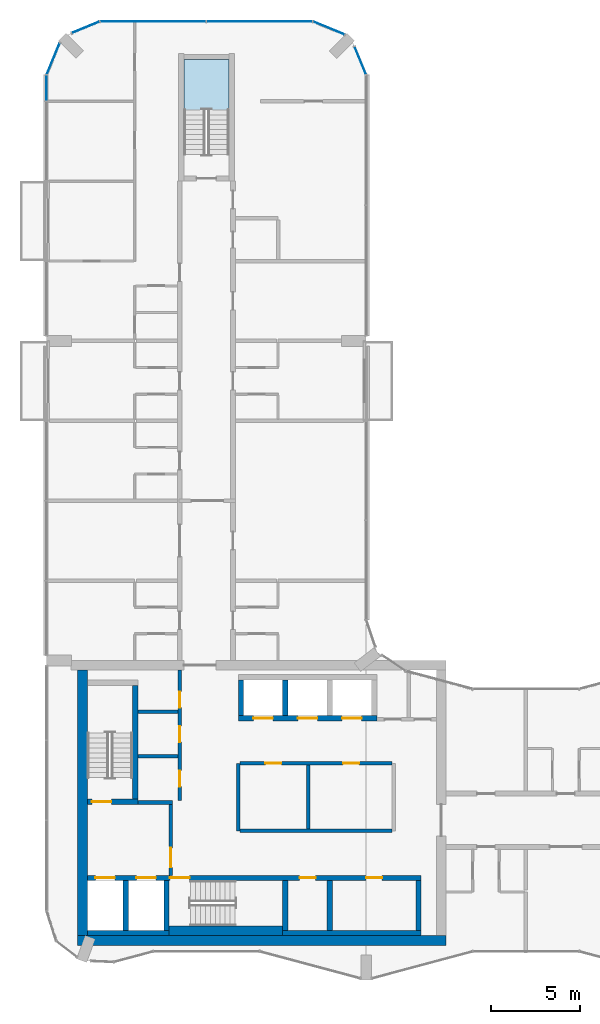
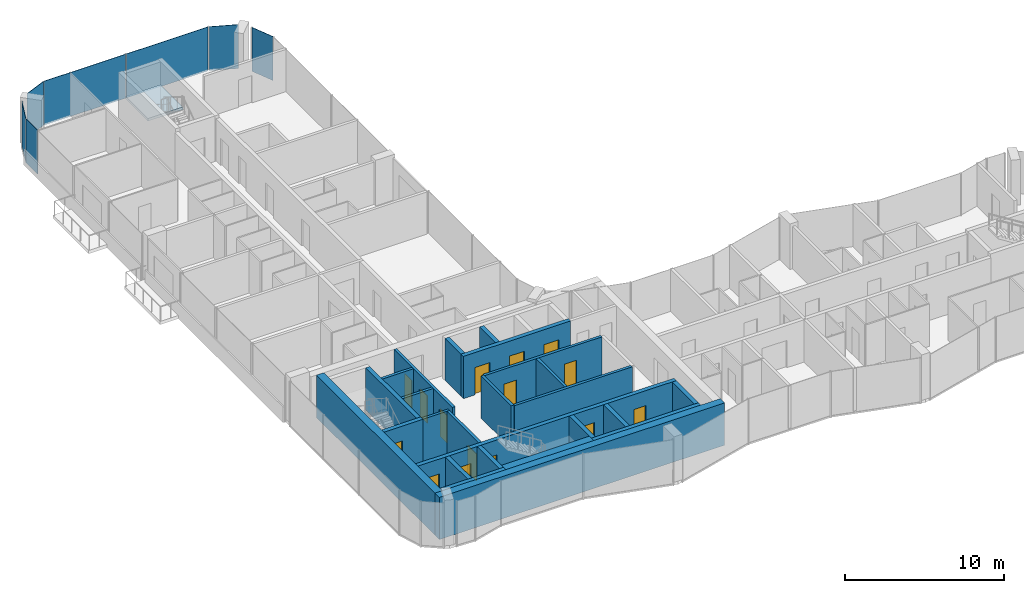
# One storey, part 9 of 15: 25 walls, 15 doors, 7 plates, 1 slab, 15 openings, 7 elements without a shape of their own.
"""IFC4 building model written with IfcOpenShell, lengths in metres."""

from ifc_helpers import new_model, si_unit, direction, frame, frame_2d, origin, origin_2d, place, context, subcontext, project, spatial, polyline, rectangle, outline, extrude, material, layer, layer_set, type_object, element, fill, aggregate, save


model = new_model("IFC4")

# Units and contexts
model_context = context("Model", 3, precision=1e-05, world=origin(), true_north=direction((0.0, 1.0)))
body_context = subcontext(model_context, "Body", "Model", "MODEL_VIEW")
ifc_project = project(units=[si_unit("LENGTHUNIT", "METRE"), si_unit("AREAUNIT", "SQUARE_METRE"), si_unit("VOLUMEUNIT", "CUBIC_METRE"), si_unit("PLANEANGLEUNIT", "RADIAN"), si_unit("MASSUNIT", "GRAM", prefix="KILO")], contexts=[model_context])

# Site, building, storey
site_placement = place(None, origin())
site = spatial("IfcSite", under=ifc_project, at=site_placement, CompositionType="ELEMENT")
building_placement = place(site_placement, origin())
building = spatial("IfcBuilding", under=site, at=building_placement, Name="Plateau Cross Towers", CompositionType="ELEMENT")
storey_placement = place(building_placement, frame((0.0, 0.0, 194.39990234375)))
storey = spatial("IfcBuildingStorey", under=building, at=storey_placement, Name="L50", CompositionType="ELEMENT", Elevation=194.39990234375)

# Curtain wall, plate
ifc_material_1 = material(Name="Dark low-iron glass", Category="glass")
ifc_layer_1 = layer(ifc_material_1, 0.239990234375)
ifc_layer_set_1 = layer_set([ifc_layer_1], Name="Dark low-iron glass")
curtain_wall_type = type_object("IfcCurtainWallType", Name="Curtain wall flush unitised CW-B", PredefinedType="NOTDEFINED", material=ifc_layer_set_1)
curtain_wall_1_placement = place(storey_placement, origin())
curtain_wall_1 = element("IfcCurtainWall", 1, at=curtain_wall_1_placement, inside=storey, type_object=curtain_wall_type, Name="ENV/A/L50/A180_510", PredefinedType="NOTDEFINED")
ifc_layer_2 = layer(ifc_material_1, 0.031982421875)
ifc_layer_set_2 = layer_set([ifc_layer_2], Name="Dark low-iron glass")
plate_type = type_object("IfcPlateType", Name="Glass panel 32 flush unitised", PredefinedType="CURTAIN_PANEL", material=ifc_layer_set_2)
plate_1_placement = place(storey_placement, frame((17.66943359375, 51.79833984375, -0.1298828125), z_axis=(0.0, 0.0, 1.0), x_axis=(-0.382683612978, 0.923879457699, 0.0)))
plate_1 = element("IfcPlate", 2, at=plate_1_placement, type_object=plate_type, Name="CW-B panel 1", PredefinedType="CURTAIN_PANEL", context=body_context, shape_type="SweptSolid", body=[
    extrude(rectangle(XDim=1.668212890625, YDim=0.031982421875, at=origin_2d()), origin(), (0.0, 0.0, 1.0), 3.3798828125),
])
aggregate(curtain_wall_1, [plate_1])

curtain_wall_2_placement = place(storey_placement, origin())
curtain_wall_2 = element("IfcCurtainWall", 3, at=curtain_wall_2_placement, inside=storey, type_object=curtain_wall_type, Name="ENV/A/L50/A168_533", PredefinedType="NOTDEFINED")
plate_2_placement = place(storey_placement, frame((15.90283203125, 53.6259765625, -0.1298828125), z_axis=(0.0, 0.0, 1.0), x_axis=(-0.923879457699, 0.382683612978, 0.0)))
plate_2 = element("IfcPlate", 4, at=plate_2_placement, type_object=plate_type, Name="CW-B panel 1", PredefinedType="CURTAIN_PANEL", context=body_context, shape_type="SweptSolid", body=[
    extrude(rectangle(XDim=1.894775390625, YDim=0.031982421875, at=origin_2d()), origin(), (0.0, 0.0, 1.0), 3.3798828125),
])
aggregate(curtain_wall_2, [plate_2])

# Curtain wall, plates
curtain_wall_3_placement = place(storey_placement, origin())
curtain_wall_3 = element("IfcCurtainWall", 5, at=curtain_wall_3_placement, inside=storey, type_object=curtain_wall_type, Name="ENV/A/L50/A150_540", PredefinedType="NOTDEFINED")
plate_3_placement = place(storey_placement, frame((12.0, 54.0, -0.1298828125), z_axis=(0.0, 0.0, 1.0), x_axis=(-1.0, 0.0, 0.0)))
plate_3 = element("IfcPlate", 6, at=plate_3_placement, type_object=plate_type, Name="CW-B panel 1", PredefinedType="CURTAIN_PANEL", context=body_context, shape_type="SweptSolid", body=[
    extrude(rectangle(XDim=5.93994140625, YDim=0.031982421875, at=origin_2d()), origin(), (0.0, 0.0, 1.0), 3.3798828125),
])
plate_4_placement = place(storey_placement, frame((6.0, 54.0, -0.1298828125), z_axis=(0.0, 0.0, 1.0), x_axis=(-1.0, 0.0, 0.0)))
plate_4 = element("IfcPlate", 7, at=plate_4_placement, type_object=plate_type, Name="CW-B panel 2", PredefinedType="CURTAIN_PANEL", context=body_context, shape_type="SweptSolid", body=[
    extrude(rectangle(XDim=5.93994140625, YDim=0.031982421875, at=origin_2d()), origin(), (0.0, 0.0, 1.0), 3.3798828125),
])
aggregate(curtain_wall_3, [plate_3, plate_4])

# Curtain wall, plate
curtain_wall_4_placement = place(storey_placement, origin())
curtain_wall_4 = element("IfcCurtainWall", 8, at=curtain_wall_4_placement, inside=storey, type_object=curtain_wall_type, Name="ENV/A/L50/A30_540", PredefinedType="NOTDEFINED")
plate_5_placement = place(storey_placement, frame((2.20166015625, 53.66943359375, -0.1298828125), z_axis=(0.0, 0.0, 1.0), x_axis=(-0.923879457699, -0.382683612978, 0.0)))
plate_5 = element("IfcPlate", 9, at=plate_5_placement, type_object=plate_type, Name="CW-B panel 1", PredefinedType="CURTAIN_PANEL", context=body_context, shape_type="SweptSolid", body=[
    extrude(rectangle(XDim=1.668212890625, YDim=0.031982421875, at=origin_2d()), origin(), (0.0, 0.0, 1.0), 3.3798828125),
])
aggregate(curtain_wall_4, [plate_5])

curtain_wall_5_placement = place(storey_placement, origin())
curtain_wall_5 = element("IfcCurtainWall", 10, at=curtain_wall_5_placement, inside=storey, type_object=curtain_wall_type, Name="ENV/A/L50/A7_528", PredefinedType="NOTDEFINED")
plate_6_placement = place(storey_placement, frame((0.3740234375, 51.90283203125, -0.1298828125), z_axis=(0.0, 0.0, 1.0), x_axis=(-0.382683612978, -0.923879457699, 0.0)))
plate_6 = element("IfcPlate", 11, at=plate_6_placement, type_object=plate_type, Name="CW-B panel 1", PredefinedType="CURTAIN_PANEL", context=body_context, shape_type="SweptSolid", body=[
    extrude(rectangle(XDim=1.894775390625, YDim=0.031982421875, at=origin_2d()), origin(), (0.0, 0.0, 1.0), 3.3798828125),
])
aggregate(curtain_wall_5, [plate_6])

curtain_wall_6_placement = place(storey_placement, origin())
curtain_wall_6 = element("IfcCurtainWall", 12, at=curtain_wall_6_placement, inside=storey, type_object=curtain_wall_type, Name="ENV/A/L50/A0_510", PredefinedType="NOTDEFINED")
plate_7_placement = place(storey_placement, frame((0.0, 50.25, -0.1298828125), z_axis=(0.0, 0.0, 1.0), x_axis=(0.0, -1.0, 0.0)))
plate_7 = element("IfcPlate", 13, at=plate_7_placement, type_object=plate_type, Name="CW-B panel 1", PredefinedType="CURTAIN_PANEL", context=body_context, shape_type="SweptSolid", body=[
    extrude(rectangle(XDim=1.43994140625, YDim=0.031982421875, at=origin_2d()), origin(), (0.0, 0.0, 1.0), 3.3798828125),
])
aggregate(curtain_wall_6, [plate_7])

# Stair, slab
ifc_material_2 = material(Name="Concrete C40/50", Category="concrete")
stair_type = type_object("IfcStairType", Name="ST-TWR", PredefinedType="HALF_TURN_STAIR", material=ifc_material_2)
stair_placement = place(storey_placement, origin())
stair = element("IfcStair", 14, at=stair_placement, inside=storey, type_object=stair_type, Name="L50 Protected Exit Stair N", PredefinedType="HALF_TURN_STAIR")
ifc_layer_3 = layer(ifc_material_2, 0.199951171875)
ifc_layer_set_3 = layer_set([ifc_layer_3], Name="Concrete C40/50")
slab_type = type_object("IfcSlabType", Name="SL-LANDING", PredefinedType="LANDING", material=ifc_layer_set_3)
slab_placement = place(storey_placement, frame((0.0, 0.0, 1.550048828125)))
slab = element("IfcSlab", 15, at=slab_placement, type_object=slab_type, Name="ES-N landing 1", PredefinedType="LANDING", context=body_context, shape_type="SweptSolid", body=[
    extrude(outline(polyline([(10.27490234375, 49.02001953125), (10.27490234375, 51.85009765625), (7.72509765625, 51.85009765625), (7.72509765625, 49.02001953125), (10.27490234375, 49.02001953125)])), origin(), (0.0, 0.0, 1.0), 0.199951171875),
])
aggregate(stair, [slab])

# Wall, opening, door
ifc_material_3 = material(Name="Concrete block, plastered both sides", Category="concrete")
ifc_layer_4 = layer(ifc_material_3, 0.199951171875)
ifc_layer_set_4 = layer_set([ifc_layer_4], Name="Concrete block, plastered both sides")
wall_type_1 = type_object("IfcWallType", Name="Core partition 200", PredefinedType="PARTITIONING", material=ifc_layer_set_4)
wall_1_placement = place(storey_placement, frame((7.0, 5.89990234375, 0.0), z_axis=(0.0, 0.0, 1.0), x_axis=(0.0, 1.0, 0.0)))
wall_1 = element("IfcWall", 16, at=wall_1_placement, inside=storey, type_object=wall_type_1, Name="Core partition", PredefinedType="PARTITIONING", context=body_context, shape_type="SweptSolid", body=[
    extrude(rectangle(XDim=4.0, YDim=0.199951171875, at=frame_2d((2.0, 0.0))), origin(), (0.0, 0.0, 1.0), 3.25),
])
opening_1_placement = place(wall_1_placement, frame((0.449951171875, 0.0, 0.0)))
opening_1 = element("IfcOpeningElement", 17, at=opening_1_placement, cuts=wall_1, Name="Opening FFD", PredefinedType="OPENING", context=body_context, shape_type="SweptSolid", body=[
    extrude(rectangle(XDim=1.10009765625, YDim=2.10009765625, at=frame_2d((0.550048828125, 1.050048828125))), frame((0.0, 0.10986328125, 0.0), z_axis=(0.0, -1.0, 0.0), x_axis=(1.0, 0.0, 0.0)), (0.0, 0.0, 1.0), 0.219970703125),
])
ifc_material_4 = material(Name="Steel, fire-resisting leaf", Category="steel")
door_type_1 = type_object("IfcDoorType", Name="Firefighting lobby door 1100", OperationType="NOTDEFINED", PredefinedType="DOOR", material=ifc_material_4)
door_1_placement = place(opening_1_placement, origin())
door_1 = element("IfcDoor", 18, at=door_1_placement, inside=storey, type_object=door_type_1, Name="Firefighting lobby door FFD", OperationType="SINGLE_SWING_LEFT", OverallHeight=2.10009765625, OverallWidth=1.10009765625, PredefinedType="DOOR", context=body_context, shape_type="SweptSolid", body=[
    extrude(rectangle(XDim=1.10009765625, YDim=2.10009765625, at=frame_2d((0.550048828125, 1.050048828125))), frame((0.0, 0.02490234375, 0.0), z_axis=(0.0, -1.0, 0.0), x_axis=(1.0, 0.0, 0.0)), (0.0, 0.0, 1.0), 0.050048828125),
])
fill(opening_1, door_1)

# Walls
wall_2_placement = place(storey_placement, frame((5.14990234375, 10.0, 0.0), z_axis=(0.0, 0.0, 1.0), x_axis=(1.0, 0.0, 0.0)))
element("IfcWall", 19, at=wall_2_placement, inside=storey, type_object=wall_type_1, Name="Core partition", PredefinedType="PARTITIONING", context=body_context, shape_type="SweptSolid", body=[
    extrude(rectangle(XDim=1.9501953125, YDim=0.199951171875, at=frame_2d((0.97509765625, 0.0))), origin(), (0.0, 0.0, 1.0), 3.25),
])
wall_3_placement = place(storey_placement, frame((10.800048828125, 8.39990234375, 0.0), z_axis=(0.0, 0.0, 1.0), x_axis=(0.0, 1.0, 0.0)))
element("IfcWall", 20, at=wall_3_placement, inside=storey, type_object=wall_type_1, Name="Core partition", PredefinedType="PARTITIONING", context=body_context, shape_type="SweptSolid", body=[
    extrude(rectangle(XDim=3.800048828125, YDim=0.199951171875, at=frame_2d((1.89990234375, 0.0))), origin(), (0.0, 0.0, 1.0), 3.25),
])
wall_4_placement = place(storey_placement, frame((10.89990234375, 8.39990234375, 0.0), z_axis=(0.0, 0.0, 1.0), x_axis=(1.0, 0.0, 0.0)))
element("IfcWall", 21, at=wall_4_placement, inside=storey, type_object=wall_type_1, Name="Core partition", PredefinedType="PARTITIONING", context=body_context, shape_type="SweptSolid", body=[
    extrude(rectangle(XDim=8.550048828125, YDim=0.199951171875, at=frame_2d((4.27490234375, 0.0))), origin(), (0.0, 0.0, 1.0), 3.25),
])

# Wall, openings, doors
wall_5_placement = place(storey_placement, frame((10.89990234375, 12.199951171875, 0.0), z_axis=(0.0, 0.0, 1.0), x_axis=(1.0, 0.0, 0.0)))
wall_5 = element("IfcWall", 22, at=wall_5_placement, inside=storey, type_object=wall_type_1, Name="Core partition", PredefinedType="PARTITIONING", context=body_context, shape_type="SweptSolid", body=[
    extrude(rectangle(XDim=8.550048828125, YDim=0.199951171875, at=frame_2d((4.27490234375, 0.0))), origin(), (0.0, 0.0, 1.0), 3.25),
])
opening_2_placement = place(wall_5_placement, frame((1.425048828125, 0.0, 0.0)))
opening_2 = element("IfcOpeningElement", 23, at=opening_2_placement, cuts=wall_5, Name="Opening RD1", PredefinedType="OPENING", context=body_context, shape_type="SweptSolid", body=[
    extrude(rectangle(XDim=0.89990234375, YDim=2.10009765625, at=frame_2d((0.449951171875, 1.050048828125))), frame((0.0, 0.10986328125, 0.0), z_axis=(0.0, -1.0, 0.0), x_axis=(1.0, 0.0, 0.0)), (0.0, 0.0, 1.0), 0.219970703125),
])
opening_3_placement = place(wall_5_placement, frame((5.800048828125, 0.0, 0.0)))
opening_3 = element("IfcOpeningElement", 24, at=opening_3_placement, cuts=wall_5, Name="Opening RD1", PredefinedType="OPENING", context=body_context, shape_type="SweptSolid", body=[
    extrude(rectangle(XDim=0.89990234375, YDim=2.10009765625, at=frame_2d((0.449951171875, 1.050048828125))), frame((0.0, 0.10986328125, 0.0), z_axis=(0.0, -1.0, 0.0), x_axis=(1.0, 0.0, 0.0)), (0.0, 0.0, 1.0), 0.219970703125),
])
ifc_material_5 = material(Name="Timber, fire-resisting leaf", Category="wood")
door_type_2 = type_object("IfcDoorType", Name="Core service door 900", OperationType="NOTDEFINED", PredefinedType="DOOR", material=ifc_material_5)
door_2_placement = place(opening_2_placement, origin())
door_2 = element("IfcDoor", 25, at=door_2_placement, inside=storey, type_object=door_type_2, Name="Core service door RD1", OperationType="SINGLE_SWING_LEFT", OverallHeight=2.10009765625, OverallWidth=0.89990234375, PredefinedType="DOOR", context=body_context, shape_type="SweptSolid", body=[
    extrude(rectangle(XDim=0.89990234375, YDim=2.10009765625, at=frame_2d((0.449951171875, 1.050048828125))), frame((0.0, 0.02490234375, 0.0), z_axis=(0.0, -1.0, 0.0), x_axis=(1.0, 0.0, 0.0)), (0.0, 0.0, 1.0), 0.050048828125),
])
fill(opening_2, door_2)
door_3_placement = place(opening_3_placement, origin())
door_3 = element("IfcDoor", 26, at=door_3_placement, inside=storey, type_object=door_type_2, Name="Core service door RD1", OperationType="SINGLE_SWING_LEFT", OverallHeight=2.10009765625, OverallWidth=0.89990234375, PredefinedType="DOOR", context=body_context, shape_type="SweptSolid", body=[
    extrude(rectangle(XDim=0.89990234375, YDim=2.10009765625, at=frame_2d((0.449951171875, 1.050048828125))), frame((0.0, 0.02490234375, 0.0), z_axis=(0.0, -1.0, 0.0), x_axis=(1.0, 0.0, 0.0)), (0.0, 0.0, 1.0), 0.050048828125),
])
fill(opening_3, door_3)

# Wall
wall_6_placement = place(storey_placement, frame((14.75, 8.5, 0.0), z_axis=(0.0, 0.0, 1.0), x_axis=(0.0, 1.0, 0.0)))
element("IfcWall", 27, at=wall_6_placement, inside=storey, type_object=wall_type_1, Name="Core partition", PredefinedType="PARTITIONING", context=body_context, shape_type="SweptSolid", body=[
    extrude(rectangle(XDim=3.60009765625, YDim=0.199951171875, at=frame_2d((1.800048828125, 0.0))), origin(), (0.0, 0.0, 1.0), 3.25),
])

# Wall, openings, doors
wall_7_placement = place(storey_placement, frame((7.5, 10.10009765625, 0.0), z_axis=(0.0, 0.0, 1.0), x_axis=(0.0, 1.0, 0.0)))
wall_7 = element("IfcWall", 28, at=wall_7_placement, inside=storey, type_object=wall_type_1, Name="Core partition", PredefinedType="PARTITIONING", context=body_context, shape_type="SweptSolid", body=[
    extrude(rectangle(XDim=7.349853515625, YDim=0.199951171875, at=frame_2d((3.6748046875, 0.0))), origin(), (0.0, 0.0, 1.0), 3.25),
])
opening_4_placement = place(wall_7_placement, frame((0.800048828125, 0.0, 0.0)))
opening_4 = element("IfcOpeningElement", 29, at=opening_4_placement, cuts=wall_7, Name="Opening RD1", PredefinedType="OPENING", context=body_context, shape_type="SweptSolid", body=[
    extrude(rectangle(XDim=0.89990234375, YDim=2.10009765625, at=frame_2d((0.449951171875, 1.050048828125))), frame((0.0, 0.10986328125, 0.0), z_axis=(0.0, -1.0, 0.0), x_axis=(1.0, 0.0, 0.0)), (0.0, 0.0, 1.0), 0.219970703125),
])
opening_5_placement = place(wall_7_placement, frame((3.300048828125, 0.0, 0.0)))
opening_5 = element("IfcOpeningElement", 30, at=opening_5_placement, cuts=wall_7, Name="Opening RD1", PredefinedType="OPENING", context=body_context, shape_type="SweptSolid", body=[
    extrude(rectangle(XDim=0.89990234375, YDim=2.10009765625, at=frame_2d((0.449951171875, 1.050048828125))), frame((0.0, 0.10986328125, 0.0), z_axis=(0.0, -1.0, 0.0), x_axis=(1.0, 0.0, 0.0)), (0.0, 0.0, 1.0), 0.219970703125),
])
opening_6_placement = place(wall_7_placement, frame((5.25, 0.0, 0.0)))
opening_6 = element("IfcOpeningElement", 31, at=opening_6_placement, cuts=wall_7, Name="Opening RD1", PredefinedType="OPENING", context=body_context, shape_type="SweptSolid", body=[
    extrude(rectangle(XDim=0.89990234375, YDim=2.10009765625, at=frame_2d((0.449951171875, 1.050048828125))), frame((0.0, 0.10986328125, 0.0), z_axis=(0.0, -1.0, 0.0), x_axis=(1.0, 0.0, 0.0)), (0.0, 0.0, 1.0), 0.219970703125),
])
door_4_placement = place(opening_4_placement, origin())
door_4 = element("IfcDoor", 32, at=door_4_placement, inside=storey, type_object=door_type_2, Name="Core service door RD1", OperationType="SINGLE_SWING_RIGHT", OverallHeight=2.10009765625, OverallWidth=0.89990234375, PredefinedType="DOOR", context=body_context, shape_type="SweptSolid", body=[
    extrude(rectangle(XDim=0.89990234375, YDim=2.10009765625, at=frame_2d((0.449951171875, 1.050048828125))), frame((0.0, 0.02490234375, 0.0), z_axis=(0.0, -1.0, 0.0), x_axis=(1.0, 0.0, 0.0)), (0.0, 0.0, 1.0), 0.050048828125),
])
fill(opening_4, door_4)
door_5_placement = place(opening_5_placement, origin())
door_5 = element("IfcDoor", 33, at=door_5_placement, inside=storey, type_object=door_type_2, Name="Core service door RD1", OperationType="SINGLE_SWING_RIGHT", OverallHeight=2.10009765625, OverallWidth=0.89990234375, PredefinedType="DOOR", context=body_context, shape_type="SweptSolid", body=[
    extrude(rectangle(XDim=0.89990234375, YDim=2.10009765625, at=frame_2d((0.449951171875, 1.050048828125))), frame((0.0, 0.02490234375, 0.0), z_axis=(0.0, -1.0, 0.0), x_axis=(1.0, 0.0, 0.0)), (0.0, 0.0, 1.0), 0.050048828125),
])
fill(opening_5, door_5)
door_6_placement = place(opening_6_placement, origin())
door_6 = element("IfcDoor", 34, at=door_6_placement, inside=storey, type_object=door_type_2, Name="Core service door RD1", OperationType="SINGLE_SWING_RIGHT", OverallHeight=2.10009765625, OverallWidth=0.89990234375, PredefinedType="DOOR", context=body_context, shape_type="SweptSolid", body=[
    extrude(rectangle(XDim=0.89990234375, YDim=2.10009765625, at=frame_2d((0.449951171875, 1.050048828125))), frame((0.0, 0.02490234375, 0.0), z_axis=(0.0, -1.0, 0.0), x_axis=(1.0, 0.0, 0.0)), (0.0, 0.0, 1.0), 0.050048828125),
])
fill(opening_6, door_6)

# Walls
for number, where, z_axis, x_axis, name in (
    (35, (5.14990234375, 12.60009765625, 0.0), (0.0, 0.0, 1.0), (1.0, 0.0, 0.0), "Core partition"),
    (36, (5.14990234375, 15.10009765625, 0.0), (0.0, 0.0, 1.0), (1.0, 0.0, 0.0), "Core partition"),
):
    element("IfcWall", number, at=place(storey_placement, frame(where, z_axis=z_axis, x_axis=x_axis)), inside=storey, type_object=wall_type_1, Name=name, PredefinedType="PARTITIONING", context=body_context, shape_type="SweptSolid", body=[
        extrude(rectangle(XDim=2.25, YDim=0.199951171875, at=frame_2d((1.125, 0.0))), origin(), (0.0, 0.0, 1.0), 3.25),
    ])
ifc_material_6 = material(Name="Concrete C60/75", Category="concrete")
ifc_layer_5 = layer(ifc_material_6, 0.300048828125)
ifc_layer_set_5 = layer_set([ifc_layer_5], Name="Concrete C60/75")
wall_type_2 = type_object("IfcWallType", Name="Core shaft wall 300", PredefinedType="SHEAR", material=ifc_layer_set_5)
wall_8_placement = place(storey_placement, frame((2.300048828125, 2.64990234375, 0.0), z_axis=(0.0, 0.0, 1.0), x_axis=(1.0, 0.0, 0.0)))
element("IfcWall", 37, at=wall_8_placement, inside=storey, type_object=wall_type_2, Name="A-sb-back1@L50", PredefinedType="SHEAR", context=body_context, shape_type="SweptSolid", body=[
    extrude(rectangle(XDim=4.599853515625, YDim=0.300048828125, at=frame_2d((2.2998046875, 0.0))), origin(), (0.0, 0.0, 1.0), 3.25),
])
wall_9_placement = place(storey_placement, frame((13.300048828125, 2.64990234375, 0.0), z_axis=(0.0, 0.0, 1.0), x_axis=(1.0, 0.0, 0.0)))
element("IfcWall", 38, at=wall_9_placement, inside=storey, type_object=wall_type_2, Name="A-sb-back3@L50", PredefinedType="SHEAR", context=body_context, shape_type="SweptSolid", body=[
    extrude(rectangle(XDim=7.800048828125, YDim=0.300048828125, at=frame_2d((3.89990234375, 0.0))), origin(), (0.0, 0.0, 1.0), 3.25),
])
for number, where, z_axis, x_axis, name in (
    (39, (4.449951171875, 2.800048828125, 0.0), (0.0, 0.0, 1.0), (0.0, 1.0, 0.0), "A-sb-v1@L50"),
    (40, (6.75, 2.800048828125, 0.0), (0.0, 0.0, 1.0), (0.0, 1.0, 0.0), "A-sb-v2@L50"),
    (41, (13.449951171875, 2.800048828125, 0.0), (0.0, 0.0, 1.0), (0.0, 1.0, 0.0), "A-sb-v3@L50"),
    (42, (15.949951171875, 2.800048828125, 0.0), (0.0, 0.0, 1.0), (0.0, 1.0, 0.0), "A-sb-v4@L50"),
    (43, (20.949951171875, 2.800048828125, 0.0), (0.0, 0.0, 1.0), (0.0, 1.0, 0.0), "A-sb-v6@L50"),
):
    element("IfcWall", number, at=place(storey_placement, frame(where, z_axis=z_axis, x_axis=x_axis)), inside=storey, type_object=wall_type_2, Name=name, PredefinedType="SHEAR", context=body_context, shape_type="SweptSolid", body=[
        extrude(rectangle(XDim=2.800048828125, YDim=0.300048828125, at=frame_2d((1.39990234375, 0.0))), origin(), (0.0, 0.0, 1.0), 3.25),
    ])

# Wall, openings, doors
wall_10_placement = place(storey_placement, frame((2.300048828125, 5.75, 0.0), z_axis=(0.0, 0.0, 1.0), x_axis=(1.0, 0.0, 0.0)))
wall_10 = element("IfcWall", 44, at=wall_10_placement, inside=storey, type_object=wall_type_2, Name="A-sb-front@L50", PredefinedType="SHEAR", context=body_context, shape_type="SweptSolid", body=[
    extrude(rectangle(XDim=18.800048828125, YDim=0.300048828125, at=frame_2d((9.39990234375, 0.0))), origin(), (0.0, 0.0, 1.0), 3.25),
])
opening_7_placement = place(wall_10_placement, frame((4.64990234375, 0.0, 0.0)))
opening_7 = element("IfcOpeningElement", 45, at=opening_7_placement, cuts=wall_10, Name="Opening SD", PredefinedType="OPENING", context=body_context, shape_type="SweptSolid", body=[
    extrude(rectangle(XDim=1.10009765625, YDim=2.10009765625, at=frame_2d((0.550048828125, 1.050048828125))), frame((0.0, 0.159912109375, 0.0), z_axis=(0.0, -1.0, 0.0), x_axis=(1.0, 0.0, 0.0)), (0.0, 0.0, 1.0), 0.320068359375),
])
opening_8_placement = place(wall_10_placement, frame((0.449951171875, 0.0, 0.0)))
opening_8 = element("IfcOpeningElement", 46, at=opening_8_placement, cuts=wall_10, Name="Opening LD", PredefinedType="OPENING", context=body_context, shape_type="SweptSolid", body=[
    extrude(rectangle(XDim=1.10009765625, YDim=2.10009765625, at=frame_2d((0.550048828125, 1.050048828125))), frame((0.0, 0.159912109375, 0.0), z_axis=(0.0, -1.0, 0.0), x_axis=(1.0, 0.0, 0.0)), (0.0, 0.0, 1.0), 0.320068359375),
])
opening_9_placement = place(wall_10_placement, frame((2.75, 0.0, 0.0)))
opening_9 = element("IfcOpeningElement", 47, at=opening_9_placement, cuts=wall_10, Name="Opening LD", PredefinedType="OPENING", context=body_context, shape_type="SweptSolid", body=[
    extrude(rectangle(XDim=1.10009765625, YDim=2.10009765625, at=frame_2d((0.550048828125, 1.050048828125))), frame((0.0, 0.159912109375, 0.0), z_axis=(0.0, -1.0, 0.0), x_axis=(1.0, 0.0, 0.0)), (0.0, 0.0, 1.0), 0.320068359375),
])
opening_10_placement = place(wall_10_placement, frame((11.949951171875, 0.0, 0.0)))
opening_10 = element("IfcOpeningElement", 48, at=opening_10_placement, cuts=wall_10, Name="Opening RD2", PredefinedType="OPENING", context=body_context, shape_type="SweptSolid", body=[
    extrude(rectangle(XDim=0.89990234375, YDim=2.10009765625, at=frame_2d((0.449951171875, 1.050048828125))), frame((0.0, 0.159912109375, 0.0), z_axis=(0.0, -1.0, 0.0), x_axis=(1.0, 0.0, 0.0)), (0.0, 0.0, 1.0), 0.320068359375),
])
opening_11_placement = place(wall_10_placement, frame((15.699951171875, 0.0, 0.0)))
opening_11 = element("IfcOpeningElement", 49, at=opening_11_placement, cuts=wall_10, Name="Opening RD2", PredefinedType="OPENING", context=body_context, shape_type="SweptSolid", body=[
    extrude(rectangle(XDim=0.89990234375, YDim=2.10009765625, at=frame_2d((0.449951171875, 1.050048828125))), frame((0.0, 0.159912109375, 0.0), z_axis=(0.0, -1.0, 0.0), x_axis=(1.0, 0.0, 0.0)), (0.0, 0.0, 1.0), 0.320068359375),
])
door_type_3 = type_object("IfcDoorType", Name="Core riser door 900", OperationType="NOTDEFINED", PredefinedType="DOOR", material=ifc_material_4)
door_7_placement = place(opening_10_placement, origin())
door_7 = element("IfcDoor", 50, at=door_7_placement, inside=storey, type_object=door_type_3, Name="Core riser door RD2", OperationType="SINGLE_SWING_LEFT", OverallHeight=2.10009765625, OverallWidth=0.89990234375, PredefinedType="DOOR", context=body_context, shape_type="SweptSolid", body=[
    extrude(rectangle(XDim=0.89990234375, YDim=2.10009765625, at=frame_2d((0.449951171875, 1.050048828125))), frame((0.0, 0.02490234375, 0.0), z_axis=(0.0, -1.0, 0.0), x_axis=(1.0, 0.0, 0.0)), (0.0, 0.0, 1.0), 0.050048828125),
])
fill(opening_10, door_7)
door_8_placement = place(opening_11_placement, origin())
door_8 = element("IfcDoor", 51, at=door_8_placement, inside=storey, type_object=door_type_3, Name="Core riser door RD2", OperationType="SINGLE_SWING_LEFT", OverallHeight=2.10009765625, OverallWidth=0.89990234375, PredefinedType="DOOR", context=body_context, shape_type="SweptSolid", body=[
    extrude(rectangle(XDim=0.89990234375, YDim=2.10009765625, at=frame_2d((0.449951171875, 1.050048828125))), frame((0.0, 0.02490234375, 0.0), z_axis=(0.0, -1.0, 0.0), x_axis=(1.0, 0.0, 0.0)), (0.0, 0.0, 1.0), 0.050048828125),
])
fill(opening_11, door_8)
ifc_material_7 = material(Name="Stainless steel, fire-resisting sliding leaves", Category="steel")
door_type_4 = type_object("IfcDoorType", Name="Lift landing door 1100", OperationType="NOTDEFINED", PredefinedType="DOOR", material=ifc_material_7)
door_9_placement = place(opening_8_placement, origin())
door_9 = element("IfcDoor", 52, at=door_9_placement, inside=storey, type_object=door_type_4, Name="Lift landing door LD", OperationType="DOUBLE_DOOR_SLIDING", OverallHeight=2.10009765625, OverallWidth=1.10009765625, PredefinedType="DOOR", context=body_context, shape_type="SweptSolid", body=[
    extrude(rectangle(XDim=1.10009765625, YDim=2.10009765625, at=frame_2d((0.550048828125, 1.050048828125))), frame((0.0, 0.02490234375, 0.0), z_axis=(0.0, -1.0, 0.0), x_axis=(1.0, 0.0, 0.0)), (0.0, 0.0, 1.0), 0.050048828125),
])
fill(opening_8, door_9)
door_10_placement = place(opening_9_placement, origin())
door_10 = element("IfcDoor", 53, at=door_10_placement, inside=storey, type_object=door_type_4, Name="Lift landing door LD", OperationType="DOUBLE_DOOR_SLIDING", OverallHeight=2.10009765625, OverallWidth=1.10009765625, PredefinedType="DOOR", context=body_context, shape_type="SweptSolid", body=[
    extrude(rectangle(XDim=1.10009765625, YDim=2.10009765625, at=frame_2d((0.550048828125, 1.050048828125))), frame((0.0, 0.02490234375, 0.0), z_axis=(0.0, -1.0, 0.0), x_axis=(1.0, 0.0, 0.0)), (0.0, 0.0, 1.0), 0.050048828125),
])
fill(opening_9, door_10)
door_type_5 = type_object("IfcDoorType", Name="Stair door 1100", OperationType="NOTDEFINED", PredefinedType="DOOR", material=ifc_material_4)
door_11_placement = place(opening_7_placement, origin())
door_11 = element("IfcDoor", 54, at=door_11_placement, inside=storey, type_object=door_type_5, Name="Stair door SD", OperationType="SINGLE_SWING_LEFT", OverallHeight=2.10009765625, OverallWidth=1.10009765625, PredefinedType="DOOR", context=body_context, shape_type="SweptSolid", body=[
    extrude(rectangle(XDim=1.10009765625, YDim=2.10009765625, at=frame_2d((0.550048828125, 1.050048828125))), frame((0.0, 0.02490234375, 0.0), z_axis=(0.0, -1.0, 0.0), x_axis=(1.0, 0.0, 0.0)), (0.0, 0.0, 1.0), 0.050048828125),
])
fill(opening_7, door_11)

# Wall, opening, door
wall_11_placement = place(storey_placement, frame((2.300048828125, 10.050048828125, 0.0), z_axis=(0.0, 0.0, 1.0), x_axis=(1.0, 0.0, 0.0)))
wall_11 = element("IfcWall", 55, at=wall_11_placement, inside=storey, type_object=wall_type_2, Name="A-st1-S@L50", PredefinedType="SHEAR", context=body_context, shape_type="SweptSolid", body=[
    extrude(rectangle(XDim=2.849853515625, YDim=0.300048828125, at=frame_2d((1.4248046875, 0.0))), origin(), (0.0, 0.0, 1.0), 3.25),
])
opening_12_placement = place(wall_11_placement, frame((0.25, 0.0, 0.0)))
opening_12 = element("IfcOpeningElement", 56, at=opening_12_placement, cuts=wall_11, Name="Opening SD", PredefinedType="OPENING", context=body_context, shape_type="SweptSolid", body=[
    extrude(rectangle(XDim=1.10009765625, YDim=2.10009765625, at=frame_2d((0.550048828125, 1.050048828125))), frame((0.0, 0.159912109375, 0.0), z_axis=(0.0, -1.0, 0.0), x_axis=(1.0, 0.0, 0.0)), (0.0, 0.0, 1.0), 0.320068359375),
])
door_12_placement = place(opening_12_placement, origin())
door_12 = element("IfcDoor", 57, at=door_12_placement, inside=storey, type_object=door_type_5, Name="Stair door SD", OperationType="SINGLE_SWING_RIGHT", OverallHeight=2.10009765625, OverallWidth=1.10009765625, PredefinedType="DOOR", context=body_context, shape_type="SweptSolid", body=[
    extrude(rectangle(XDim=1.10009765625, YDim=2.10009765625, at=frame_2d((0.550048828125, 1.050048828125))), frame((0.0, 0.02490234375, 0.0), z_axis=(0.0, -1.0, 0.0), x_axis=(1.0, 0.0, 0.0)), (0.0, 0.0, 1.0), 0.050048828125),
])
fill(opening_12, door_12)

# Wall
wall_12_placement = place(storey_placement, frame((5.0, 10.199951171875, 0.0), z_axis=(0.0, 0.0, 1.0), x_axis=(0.0, 1.0, 0.0)))
element("IfcWall", 58, at=wall_12_placement, inside=storey, type_object=wall_type_2, Name="A-st1-E@L50", PredefinedType="SHEAR", context=body_context, shape_type="SweptSolid", body=[
    extrude(rectangle(XDim=6.400146484375, YDim=0.300048828125, at=frame_2d((3.2001953125, 0.0))), origin(), (0.0, 0.0, 1.0), 3.25),
])

# Wall, openings, doors
wall_13_placement = place(storey_placement, frame((10.800048828125, 14.75, 0.0), z_axis=(0.0, 0.0, 1.0), x_axis=(1.0, 0.0, 0.0)))
wall_13 = element("IfcWall", 59, at=wall_13_placement, inside=storey, type_object=wall_type_2, Name="A-nb-front@L50", PredefinedType="SHEAR", context=body_context, shape_type="SweptSolid", body=[
    extrude(rectangle(XDim=7.800048828125, YDim=0.300048828125, at=frame_2d((3.89990234375, 0.0))), origin(), (0.0, 0.0, 1.0), 3.25),
])
opening_13_placement = place(wall_13_placement, frame((0.85009765625, 0.0, 0.0)))
opening_13 = element("IfcOpeningElement", 60, at=opening_13_placement, cuts=wall_13, Name="Opening LD", PredefinedType="OPENING", context=body_context, shape_type="SweptSolid", body=[
    extrude(rectangle(XDim=1.10009765625, YDim=2.10009765625, at=frame_2d((0.550048828125, 1.050048828125))), frame((0.0, 0.159912109375, 0.0), z_axis=(0.0, -1.0, 0.0), x_axis=(1.0, 0.0, 0.0)), (0.0, 0.0, 1.0), 0.320068359375),
])
opening_14_placement = place(wall_13_placement, frame((3.35009765625, 0.0, 0.0)))
opening_14 = element("IfcOpeningElement", 61, at=opening_14_placement, cuts=wall_13, Name="Opening LD", PredefinedType="OPENING", context=body_context, shape_type="SweptSolid", body=[
    extrude(rectangle(XDim=1.10009765625, YDim=2.10009765625, at=frame_2d((0.550048828125, 1.050048828125))), frame((0.0, 0.159912109375, 0.0), z_axis=(0.0, -1.0, 0.0), x_axis=(1.0, 0.0, 0.0)), (0.0, 0.0, 1.0), 0.320068359375),
])
opening_15_placement = place(wall_13_placement, frame((5.85009765625, 0.0, 0.0)))
opening_15 = element("IfcOpeningElement", 62, at=opening_15_placement, cuts=wall_13, Name="Opening LD", PredefinedType="OPENING", context=body_context, shape_type="SweptSolid", body=[
    extrude(rectangle(XDim=1.10009765625, YDim=2.10009765625, at=frame_2d((0.550048828125, 1.050048828125))), frame((0.0, 0.159912109375, 0.0), z_axis=(0.0, -1.0, 0.0), x_axis=(1.0, 0.0, 0.0)), (0.0, 0.0, 1.0), 0.320068359375),
])
door_13_placement = place(opening_13_placement, origin())
door_13 = element("IfcDoor", 63, at=door_13_placement, inside=storey, type_object=door_type_4, Name="Lift landing door LD", OperationType="DOUBLE_DOOR_SLIDING", OverallHeight=2.10009765625, OverallWidth=1.10009765625, PredefinedType="DOOR", context=body_context, shape_type="SweptSolid", body=[
    extrude(rectangle(XDim=1.10009765625, YDim=2.10009765625, at=frame_2d((0.550048828125, 1.050048828125))), frame((0.0, 0.02490234375, 0.0), z_axis=(0.0, -1.0, 0.0), x_axis=(1.0, 0.0, 0.0)), (0.0, 0.0, 1.0), 0.050048828125),
])
fill(opening_13, door_13)
door_14_placement = place(opening_14_placement, origin())
door_14 = element("IfcDoor", 64, at=door_14_placement, inside=storey, type_object=door_type_4, Name="Lift landing door LD", OperationType="DOUBLE_DOOR_SLIDING", OverallHeight=2.10009765625, OverallWidth=1.10009765625, PredefinedType="DOOR", context=body_context, shape_type="SweptSolid", body=[
    extrude(rectangle(XDim=1.10009765625, YDim=2.10009765625, at=frame_2d((0.550048828125, 1.050048828125))), frame((0.0, 0.02490234375, 0.0), z_axis=(0.0, -1.0, 0.0), x_axis=(1.0, 0.0, 0.0)), (0.0, 0.0, 1.0), 0.050048828125),
])
fill(opening_14, door_14)
door_15_placement = place(opening_15_placement, origin())
door_15 = element("IfcDoor", 65, at=door_15_placement, inside=storey, type_object=door_type_4, Name="Lift landing door LD", OperationType="DOUBLE_DOOR_SLIDING", OverallHeight=2.10009765625, OverallWidth=1.10009765625, PredefinedType="DOOR", context=body_context, shape_type="SweptSolid", body=[
    extrude(rectangle(XDim=1.10009765625, YDim=2.10009765625, at=frame_2d((0.550048828125, 1.050048828125))), frame((0.0, 0.02490234375, 0.0), z_axis=(0.0, -1.0, 0.0), x_axis=(1.0, 0.0, 0.0)), (0.0, 0.0, 1.0), 0.050048828125),
])
fill(opening_15, door_15)

# Walls
for number, where, z_axis, x_axis, name in (
    (66, (10.949951171875, 14.89990234375, 0.0), (0.0, 0.0, 1.0), (0.0, 1.0, 0.0), "A-nb-v1@L50"),
    (67, (13.449951171875, 14.89990234375, 0.0), (0.0, 0.0, 1.0), (0.0, 1.0, 0.0), "A-nb-v2@L50"),
):
    element("IfcWall", number, at=place(storey_placement, frame(where, z_axis=z_axis, x_axis=x_axis)), inside=storey, type_object=wall_type_2, Name=name, PredefinedType="SHEAR", context=body_context, shape_type="SweptSolid", body=[
        extrude(rectangle(XDim=2.0, YDim=0.300048828125, at=frame_2d((1.0, 0.0))), origin(), (0.0, 0.0, 1.0), 3.25),
    ])
ifc_layer_6 = layer(ifc_material_6, 0.550048828125)
ifc_layer_set_6 = layer_set([ifc_layer_6], Name="Concrete C60/75")
wall_type_3 = type_object("IfcWallType", Name="Core shaft wall 550", PredefinedType="SHEAR", material=ifc_layer_set_6)
wall_14_placement = place(storey_placement, frame((6.89990234375, 2.77490234375, 0.0), z_axis=(0.0, 0.0, 1.0), x_axis=(1.0, 0.0, 0.0)))
element("IfcWall", 68, at=wall_14_placement, inside=storey, type_object=wall_type_3, Name="A-sb-back2@L50", PredefinedType="SHEAR", context=body_context, shape_type="SweptSolid", body=[
    extrude(rectangle(XDim=6.400146484375, YDim=0.550048828125, at=frame_2d((3.2001953125, 0.0))), origin(), (0.0, 0.0, 1.0), 3.25),
])
ifc_layer_7 = layer(ifc_material_6, 0.550048828125)
ifc_layer_set_7 = layer_set([ifc_layer_7], Name="Concrete C60/75")
wall_type_4 = type_object("IfcWallType", Name="Core shell wall 550", PredefinedType="SHEAR", material=ifc_layer_set_7)
wall_15_placement = place(storey_placement, frame((1.75, 2.22509765625, 0.0), z_axis=(0.0, 0.0, 1.0), x_axis=(1.0, 0.0, 0.0)))
element("IfcWall", 69, at=wall_15_placement, inside=storey, type_object=wall_type_4, Name="A-core-S@L50", PredefinedType="SHEAR", context=body_context, shape_type="SweptSolid", body=[
    extrude(rectangle(XDim=20.75, YDim=0.550048828125, at=frame_2d((10.375, 0.0))), origin(), (0.0, 0.0, 1.0), 3.25),
])
wall_16_placement = place(storey_placement, frame((2.02490234375, 2.5, 0.0), z_axis=(0.0, 0.0, 1.0), x_axis=(0.0, 1.0, 0.0)))
element("IfcWall", 70, at=wall_16_placement, inside=storey, type_object=wall_type_4, Name="A-core-W@L50", PredefinedType="SHEAR", context=body_context, shape_type="SweptSolid", body=[
    extrude(rectangle(XDim=14.949951171875, YDim=0.550048828125, at=frame_2d((7.47509765625, 0.0))), origin(), (0.0, 0.0, 1.0), 3.25),
])

save(model, "model.ifc")
